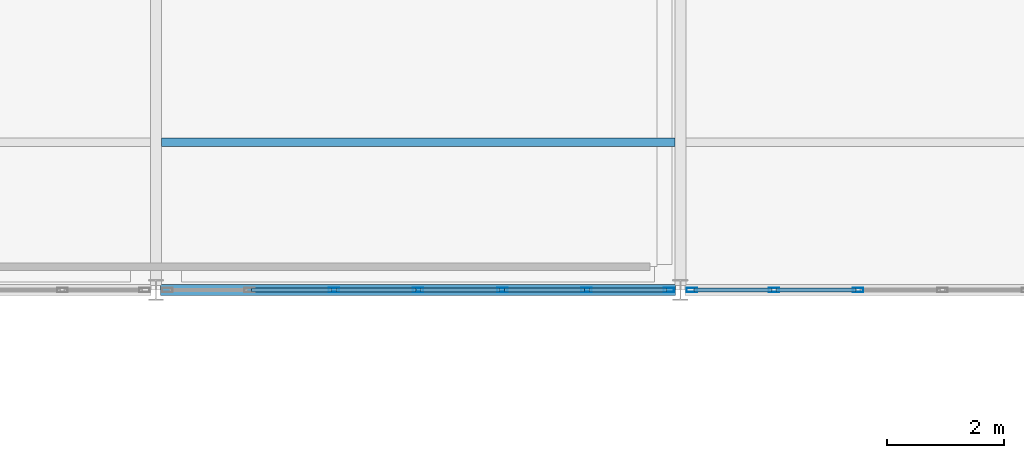
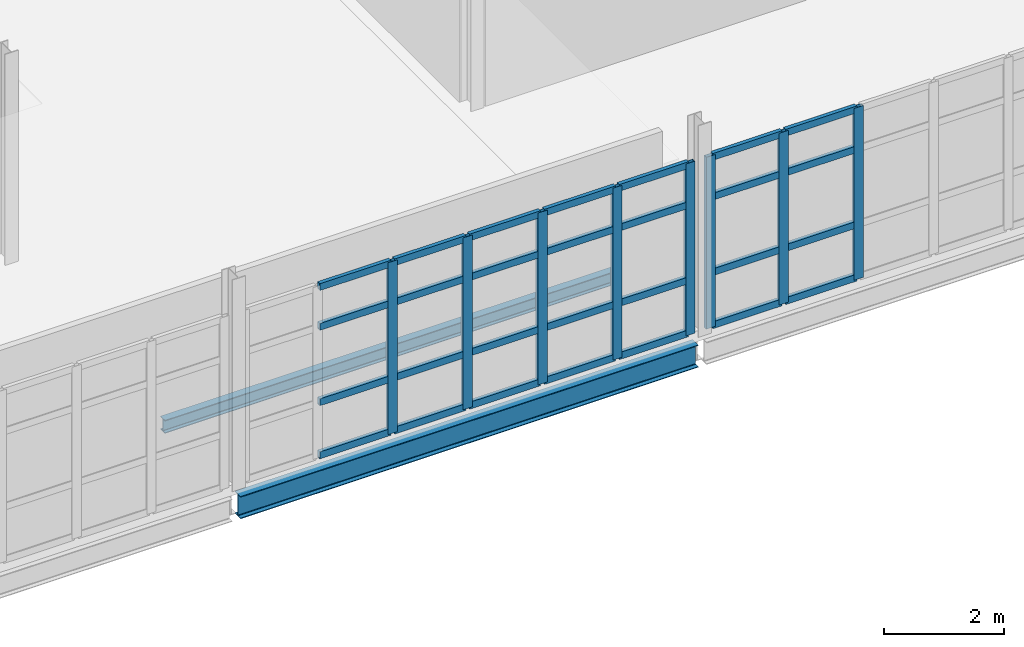
# One storey, part 114 of 174: 36 members, 2 beams, 2 elements without a shape of their own.
"""IFC4 building model written with IfcOpenShell, lengths in metres."""

from ifc_helpers import new_model, si_unit, direction, frame, origin, origin_2d, place, context, subcontext, project, spatial, hollow_rectangle, i_section, extrude, material, material_profile, profile_set, type_object, element, aggregate, save


model = new_model("IFC4")

# Units and contexts
model_context = context("Model", 3, precision=1e-05, world=origin(), true_north=direction((0.0, 1.0)))
body_context = subcontext(model_context, "Body", "Model", "MODEL_VIEW")
ifc_project = project(units=[si_unit("LENGTHUNIT", "METRE"), si_unit("AREAUNIT", "SQUARE_METRE"), si_unit("VOLUMEUNIT", "CUBIC_METRE"), si_unit("PLANEANGLEUNIT", "RADIAN"), si_unit("MASSUNIT", "GRAM", prefix="KILO")], contexts=[model_context])

# Site, building, storey
site_placement = place(None, origin())
site = spatial("IfcSite", under=ifc_project, at=site_placement, CompositionType="ELEMENT")
building_placement = place(site_placement, origin())
building = spatial("IfcBuilding", under=site, at=building_placement, Name="Caisbarro Railhouse Central Library", CompositionType="ELEMENT")
storey_placement = place(building_placement, frame((0.0, 0.0, 5.0400390625)))
storey = spatial("IfcBuildingStorey", under=building, at=storey_placement, Name="L01", CompositionType="ELEMENT", Elevation=5.0400390625)

# Beams
ifc_material_1 = material(Name="Steel ASTM A572 Grade 50", Category="steel")
ifc_material_profile_1 = material_profile(ifc_material_1, i_section(OverallWidth=0.14794921875, OverallDepth=0.26611328125, WebThickness=0.007568359375, FlangeThickness=0.012939453125, FilletRadius=0.010009765625, at=origin_2d()), Name="W250X44.8")
ifc_profile_set_1 = profile_set([ifc_material_profile_1], Name="Steel ASTM A572 Grade 50")
beam_type_1 = type_object("IfcBeamType", Name="BM-J04", PredefinedType="JOIST", material=ifc_profile_set_1)
beam_1_placement = place(storey_placement, frame((126.094970703125, 63.333251953125, -0.35302734375), z_axis=(1.0, 0.0, 0.0), x_axis=(0.0, 1.0, 0.0)))
element("IfcBeam", 1, at=beam_1_placement, inside=storey, type_object=beam_type_1, Name="J04 beam L01 #978", PredefinedType="JOIST", context=body_context, shape_type="SweptSolid", body=[
    extrude(i_section(OverallWidth=0.14794921875, OverallDepth=0.26611328125, WebThickness=0.007568359375, FlangeThickness=0.012939453125, FilletRadius=0.010009765625, at=origin_2d()), origin(), (0.0, 0.0, 1.0), 8.81005859375),
])
ifc_material_profile_2 = material_profile(ifc_material_1, i_section(OverallWidth=0.18994140625, OverallDepth=0.45703125, WebThickness=0.009033203125, FlangeThickness=0.014404296875, FilletRadius=0.01806640625, at=origin_2d()), Name="W460X74.0")
ifc_profile_set_2 = profile_set([ifc_material_profile_2], Name="Steel ASTM A572 Grade 50")
beam_type_2 = type_object("IfcBeamType", Name="BM-SP01", PredefinedType="SPANDREL", material=ifc_profile_set_2)
beam_2_placement = place(storey_placement, frame((126.080078125, 60.800048828125, -0.448486328125), z_axis=(1.0, 0.0, 0.0), x_axis=(0.0, 1.0, 0.0)))
element("IfcBeam", 2, at=beam_2_placement, inside=storey, type_object=beam_type_2, Name="SP01 beam L01 #902", PredefinedType="SPANDREL", context=body_context, shape_type="SweptSolid", body=[
    extrude(i_section(OverallWidth=0.18994140625, OverallDepth=0.45703125, WebThickness=0.009033203125, FlangeThickness=0.014404296875, FilletRadius=0.01806640625, at=origin_2d()), origin(), (0.0, 0.0, 1.0), 8.83984375),
])

# Curtain wall, members
ifc_material_2 = material(Name="Anodised architectural aluminium", Category="aluminium")
curtain_wall_type = type_object("IfcCurtainWallType", Name="CW-CW02", PredefinedType="NOTDEFINED", material=ifc_material_2)
curtain_wall_1_placement = place(storey_placement, origin())
curtain_wall_1 = element("IfcCurtainWall", 3, at=curtain_wall_1_placement, inside=storey, type_object=curtain_wall_type, Name="CW02 curtain wall L01 #118", PredefinedType="NOTDEFINED")
ifc_material_profile_3 = material_profile(ifc_material_2, hollow_rectangle(XDim=0.074951171875, YDim=0.179931640625, WallThickness=0.00439453125, at=origin_2d()), Name="ALU-MUL-75X180")
ifc_profile_set_3 = profile_set([ifc_material_profile_3], Name="Anodised architectural aluminium")
member_type_1 = type_object("IfcMemberType", Name="CWM-M01", PredefinedType="MULLION", material=ifc_profile_set_3)
member_1_placement = place(storey_placement, frame((129.05322265625, 60.800048828125, 0.0), z_axis=(0.0, 0.0, 1.0), x_axis=(0.0, 1.0, 0.0)))
member_1 = element("IfcMember", 4, at=member_1_placement, type_object=member_type_1, Name="CW02 mullion 3", PredefinedType="MULLION", context=body_context, shape_type="SweptSolid", body=[
    extrude(hollow_rectangle(XDim=0.074951171875, YDim=0.179931640625, WallThickness=0.00439453125, at=origin_2d()), origin(), (0.0, 0.0, 1.0), 3.510009765625),
])
member_2_placement = place(storey_placement, frame((130.5, 60.800048828125, 0.0), z_axis=(0.0, 0.0, 1.0), x_axis=(0.0, 1.0, 0.0)))
member_2 = element("IfcMember", 5, at=member_2_placement, type_object=member_type_1, Name="CW02 mullion 4", PredefinedType="MULLION", context=body_context, shape_type="SweptSolid", body=[
    extrude(hollow_rectangle(XDim=0.074951171875, YDim=0.179931640625, WallThickness=0.00439453125, at=origin_2d()), origin(), (0.0, 0.0, 1.0), 3.510009765625),
])
member_3_placement = place(storey_placement, frame((131.94677734375, 60.800048828125, 0.0), z_axis=(0.0, 0.0, 1.0), x_axis=(0.0, 1.0, 0.0)))
member_3 = element("IfcMember", 6, at=member_3_placement, type_object=member_type_1, Name="CW02 mullion 5", PredefinedType="MULLION", context=body_context, shape_type="SweptSolid", body=[
    extrude(hollow_rectangle(XDim=0.074951171875, YDim=0.179931640625, WallThickness=0.00439453125, at=origin_2d()), origin(), (0.0, 0.0, 1.0), 3.510009765625),
])
member_4_placement = place(storey_placement, frame((133.393310546875, 60.800048828125, 0.0), z_axis=(0.0, 0.0, 1.0), x_axis=(0.0, 1.0, 0.0)))
member_4 = element("IfcMember", 7, at=member_4_placement, type_object=member_type_1, Name="CW02 mullion 6", PredefinedType="MULLION", context=body_context, shape_type="SweptSolid", body=[
    extrude(hollow_rectangle(XDim=0.074951171875, YDim=0.179931640625, WallThickness=0.00439453125, at=origin_2d()), origin(), (0.0, 0.0, 1.0), 3.510009765625),
])
member_5_placement = place(storey_placement, frame((134.802490234375, 60.800048828125, 0.0), z_axis=(0.0, 0.0, 1.0), x_axis=(0.0, 1.0, 0.0)))
member_5 = element("IfcMember", 8, at=member_5_placement, type_object=member_type_1, Name="CW02 mullion 7", PredefinedType="MULLION", context=body_context, shape_type="SweptSolid", body=[
    extrude(hollow_rectangle(XDim=0.074951171875, YDim=0.179931640625, WallThickness=0.00439453125, at=origin_2d()), origin(), (0.0, 0.0, 1.0), 3.510009765625),
])

curtain_wall_2_placement = place(storey_placement, origin())
curtain_wall_2 = element("IfcCurtainWall", 9, at=curtain_wall_2_placement, inside=storey, type_object=curtain_wall_type, Name="CW02 curtain wall L01 #119", PredefinedType="NOTDEFINED")
member_6_placement = place(storey_placement, frame((135.197509765625, 60.800048828125, 0.0), z_axis=(0.0, 0.0, 1.0), x_axis=(0.0, 1.0, 0.0)))
member_6 = element("IfcMember", 10, at=member_6_placement, type_object=member_type_1, Name="CW02 mullion 1", PredefinedType="MULLION", context=body_context, shape_type="SweptSolid", body=[
    extrude(hollow_rectangle(XDim=0.074951171875, YDim=0.179931640625, WallThickness=0.00439453125, at=origin_2d()), origin(), (0.0, 0.0, 1.0), 3.510009765625),
])
member_7_placement = place(storey_placement, frame((136.606689453125, 60.800048828125, 0.0), z_axis=(0.0, 0.0, 1.0), x_axis=(0.0, 1.0, 0.0)))
member_7 = element("IfcMember", 11, at=member_7_placement, type_object=member_type_1, Name="CW02 mullion 2", PredefinedType="MULLION", context=body_context, shape_type="SweptSolid", body=[
    extrude(hollow_rectangle(XDim=0.074951171875, YDim=0.179931640625, WallThickness=0.00439453125, at=origin_2d()), origin(), (0.0, 0.0, 1.0), 3.510009765625),
])
member_8_placement = place(storey_placement, frame((138.05322265625, 60.800048828125, 0.0), z_axis=(0.0, 0.0, 1.0), x_axis=(0.0, 1.0, 0.0)))
member_8 = element("IfcMember", 12, at=member_8_placement, type_object=member_type_1, Name="CW02 mullion 3", PredefinedType="MULLION", context=body_context, shape_type="SweptSolid", body=[
    extrude(hollow_rectangle(XDim=0.074951171875, YDim=0.179931640625, WallThickness=0.00439453125, at=origin_2d()), origin(), (0.0, 0.0, 1.0), 3.510009765625),
])

# Member
ifc_material_profile_4 = material_profile(ifc_material_2, hollow_rectangle(XDim=0.074951171875, YDim=0.139892578125, WallThickness=0.00390625, at=origin_2d()), Name="ALU-TRN-75X140")
ifc_profile_set_4 = profile_set([ifc_material_profile_4], Name="Anodised architectural aluminium")
member_type_2 = type_object("IfcMemberType", Name="CWT-T01", PredefinedType="USERDEFINED", material=ifc_profile_set_4)
member_9_placement = place(storey_placement, frame((127.644287109375, 60.800048828125, 0.037353515625), z_axis=(1.0, 0.0, 0.0), x_axis=(0.0, 1.0, 0.0)))
member_9 = element("IfcMember", 13, at=member_9_placement, type_object=member_type_2, Name="CW02 transom 2.1", ObjectType="TRANSOM", PredefinedType="USERDEFINED", context=body_context, shape_type="SweptSolid", body=[
    extrude(hollow_rectangle(XDim=0.074951171875, YDim=0.139892578125, WallThickness=0.00390625, at=origin_2d()), origin(), (0.0, 0.0, 1.0), 1.37158203125),
])

member_10_placement = place(storey_placement, frame((127.644287109375, 60.800048828125, 1.119873046875), z_axis=(1.0, 0.0, 0.0), x_axis=(0.0, 1.0, 0.0)))
member_10 = element("IfcMember", 14, at=member_10_placement, type_object=member_type_2, Name="CW02 transom 2.2", ObjectType="TRANSOM", PredefinedType="USERDEFINED", context=body_context, shape_type="SweptSolid", body=[
    extrude(hollow_rectangle(XDim=0.074951171875, YDim=0.139892578125, WallThickness=0.00390625, at=origin_2d()), origin(), (0.0, 0.0, 1.0), 1.37158203125),
])

member_11_placement = place(storey_placement, frame((127.644287109375, 60.800048828125, 2.659912109375), z_axis=(1.0, 0.0, 0.0), x_axis=(0.0, 1.0, 0.0)))
member_11 = element("IfcMember", 15, at=member_11_placement, type_object=member_type_2, Name="CW02 transom 2.3", ObjectType="TRANSOM", PredefinedType="USERDEFINED", context=body_context, shape_type="SweptSolid", body=[
    extrude(hollow_rectangle(XDim=0.074951171875, YDim=0.139892578125, WallThickness=0.00390625, at=origin_2d()), origin(), (0.0, 0.0, 1.0), 1.37158203125),
])

member_12_placement = place(storey_placement, frame((127.644287109375, 60.800048828125, 3.472412109375), z_axis=(1.0, 0.0, 0.0), x_axis=(0.0, 1.0, 0.0)))
member_12 = element("IfcMember", 16, at=member_12_placement, type_object=member_type_2, Name="CW02 transom 2.4", ObjectType="TRANSOM", PredefinedType="USERDEFINED", context=body_context, shape_type="SweptSolid", body=[
    extrude(hollow_rectangle(XDim=0.074951171875, YDim=0.139892578125, WallThickness=0.00390625, at=origin_2d()), origin(), (0.0, 0.0, 1.0), 1.37158203125),
])

member_13_placement = place(storey_placement, frame((129.0908203125, 60.800048828125, 0.037353515625), z_axis=(1.0, 0.0, 0.0), x_axis=(0.0, 1.0, 0.0)))
member_13 = element("IfcMember", 17, at=member_13_placement, type_object=member_type_2, Name="CW02 transom 3.1", ObjectType="TRANSOM", PredefinedType="USERDEFINED", context=body_context, shape_type="SweptSolid", body=[
    extrude(hollow_rectangle(XDim=0.074951171875, YDim=0.139892578125, WallThickness=0.00390625, at=origin_2d()), origin(), (0.0, 0.0, 1.0), 1.37158203125),
])

member_14_placement = place(storey_placement, frame((129.0908203125, 60.800048828125, 1.119873046875), z_axis=(1.0, 0.0, 0.0), x_axis=(0.0, 1.0, 0.0)))
member_14 = element("IfcMember", 18, at=member_14_placement, type_object=member_type_2, Name="CW02 transom 3.2", ObjectType="TRANSOM", PredefinedType="USERDEFINED", context=body_context, shape_type="SweptSolid", body=[
    extrude(hollow_rectangle(XDim=0.074951171875, YDim=0.139892578125, WallThickness=0.00390625, at=origin_2d()), origin(), (0.0, 0.0, 1.0), 1.37158203125),
])

member_15_placement = place(storey_placement, frame((129.0908203125, 60.800048828125, 2.659912109375), z_axis=(1.0, 0.0, 0.0), x_axis=(0.0, 1.0, 0.0)))
member_15 = element("IfcMember", 19, at=member_15_placement, type_object=member_type_2, Name="CW02 transom 3.3", ObjectType="TRANSOM", PredefinedType="USERDEFINED", context=body_context, shape_type="SweptSolid", body=[
    extrude(hollow_rectangle(XDim=0.074951171875, YDim=0.139892578125, WallThickness=0.00390625, at=origin_2d()), origin(), (0.0, 0.0, 1.0), 1.37158203125),
])

member_16_placement = place(storey_placement, frame((129.0908203125, 60.800048828125, 3.472412109375), z_axis=(1.0, 0.0, 0.0), x_axis=(0.0, 1.0, 0.0)))
member_16 = element("IfcMember", 20, at=member_16_placement, type_object=member_type_2, Name="CW02 transom 3.4", ObjectType="TRANSOM", PredefinedType="USERDEFINED", context=body_context, shape_type="SweptSolid", body=[
    extrude(hollow_rectangle(XDim=0.074951171875, YDim=0.139892578125, WallThickness=0.00390625, at=origin_2d()), origin(), (0.0, 0.0, 1.0), 1.37158203125),
])

member_17_placement = place(storey_placement, frame((130.53759765625, 60.800048828125, 0.037353515625), z_axis=(1.0, 0.0, 0.0), x_axis=(0.0, 1.0, 0.0)))
member_17 = element("IfcMember", 21, at=member_17_placement, type_object=member_type_2, Name="CW02 transom 4.1", ObjectType="TRANSOM", PredefinedType="USERDEFINED", context=body_context, shape_type="SweptSolid", body=[
    extrude(hollow_rectangle(XDim=0.074951171875, YDim=0.139892578125, WallThickness=0.00390625, at=origin_2d()), origin(), (0.0, 0.0, 1.0), 1.37158203125),
])

member_18_placement = place(storey_placement, frame((130.53759765625, 60.800048828125, 1.119873046875), z_axis=(1.0, 0.0, 0.0), x_axis=(0.0, 1.0, 0.0)))
member_18 = element("IfcMember", 22, at=member_18_placement, type_object=member_type_2, Name="CW02 transom 4.2", ObjectType="TRANSOM", PredefinedType="USERDEFINED", context=body_context, shape_type="SweptSolid", body=[
    extrude(hollow_rectangle(XDim=0.074951171875, YDim=0.139892578125, WallThickness=0.00390625, at=origin_2d()), origin(), (0.0, 0.0, 1.0), 1.37158203125),
])

member_19_placement = place(storey_placement, frame((130.53759765625, 60.800048828125, 2.659912109375), z_axis=(1.0, 0.0, 0.0), x_axis=(0.0, 1.0, 0.0)))
member_19 = element("IfcMember", 23, at=member_19_placement, type_object=member_type_2, Name="CW02 transom 4.3", ObjectType="TRANSOM", PredefinedType="USERDEFINED", context=body_context, shape_type="SweptSolid", body=[
    extrude(hollow_rectangle(XDim=0.074951171875, YDim=0.139892578125, WallThickness=0.00390625, at=origin_2d()), origin(), (0.0, 0.0, 1.0), 1.37158203125),
])

member_20_placement = place(storey_placement, frame((130.53759765625, 60.800048828125, 3.472412109375), z_axis=(1.0, 0.0, 0.0), x_axis=(0.0, 1.0, 0.0)))
member_20 = element("IfcMember", 24, at=member_20_placement, type_object=member_type_2, Name="CW02 transom 4.4", ObjectType="TRANSOM", PredefinedType="USERDEFINED", context=body_context, shape_type="SweptSolid", body=[
    extrude(hollow_rectangle(XDim=0.074951171875, YDim=0.139892578125, WallThickness=0.00390625, at=origin_2d()), origin(), (0.0, 0.0, 1.0), 1.37158203125),
])

member_21_placement = place(storey_placement, frame((131.984130859375, 60.800048828125, 0.037353515625), z_axis=(1.0, 0.0, 0.0), x_axis=(0.0, 1.0, 0.0)))
member_21 = element("IfcMember", 25, at=member_21_placement, type_object=member_type_2, Name="CW02 transom 5.1", ObjectType="TRANSOM", PredefinedType="USERDEFINED", context=body_context, shape_type="SweptSolid", body=[
    extrude(hollow_rectangle(XDim=0.074951171875, YDim=0.139892578125, WallThickness=0.00390625, at=origin_2d()), origin(), (0.0, 0.0, 1.0), 1.37158203125),
])

member_22_placement = place(storey_placement, frame((131.984130859375, 60.800048828125, 1.119873046875), z_axis=(1.0, 0.0, 0.0), x_axis=(0.0, 1.0, 0.0)))
member_22 = element("IfcMember", 26, at=member_22_placement, type_object=member_type_2, Name="CW02 transom 5.2", ObjectType="TRANSOM", PredefinedType="USERDEFINED", context=body_context, shape_type="SweptSolid", body=[
    extrude(hollow_rectangle(XDim=0.074951171875, YDim=0.139892578125, WallThickness=0.00390625, at=origin_2d()), origin(), (0.0, 0.0, 1.0), 1.37158203125),
])

member_23_placement = place(storey_placement, frame((131.984130859375, 60.800048828125, 2.659912109375), z_axis=(1.0, 0.0, 0.0), x_axis=(0.0, 1.0, 0.0)))
member_23 = element("IfcMember", 27, at=member_23_placement, type_object=member_type_2, Name="CW02 transom 5.3", ObjectType="TRANSOM", PredefinedType="USERDEFINED", context=body_context, shape_type="SweptSolid", body=[
    extrude(hollow_rectangle(XDim=0.074951171875, YDim=0.139892578125, WallThickness=0.00390625, at=origin_2d()), origin(), (0.0, 0.0, 1.0), 1.37158203125),
])

member_24_placement = place(storey_placement, frame((131.984130859375, 60.800048828125, 3.472412109375), z_axis=(1.0, 0.0, 0.0), x_axis=(0.0, 1.0, 0.0)))
member_24 = element("IfcMember", 28, at=member_24_placement, type_object=member_type_2, Name="CW02 transom 5.4", ObjectType="TRANSOM", PredefinedType="USERDEFINED", context=body_context, shape_type="SweptSolid", body=[
    extrude(hollow_rectangle(XDim=0.074951171875, YDim=0.139892578125, WallThickness=0.00390625, at=origin_2d()), origin(), (0.0, 0.0, 1.0), 1.37158203125),
])

member_25_placement = place(storey_placement, frame((133.430908203125, 60.800048828125, 0.037353515625), z_axis=(1.0, 0.0, 0.0), x_axis=(0.0, 1.0, 0.0)))
member_25 = element("IfcMember", 29, at=member_25_placement, type_object=member_type_2, Name="CW02 transom 6.1", ObjectType="TRANSOM", PredefinedType="USERDEFINED", context=body_context, shape_type="SweptSolid", body=[
    extrude(hollow_rectangle(XDim=0.074951171875, YDim=0.139892578125, WallThickness=0.00390625, at=origin_2d()), origin(), (0.0, 0.0, 1.0), 1.333984375),
])

member_26_placement = place(storey_placement, frame((133.430908203125, 60.800048828125, 1.119873046875), z_axis=(1.0, 0.0, 0.0), x_axis=(0.0, 1.0, 0.0)))
member_26 = element("IfcMember", 30, at=member_26_placement, type_object=member_type_2, Name="CW02 transom 6.2", ObjectType="TRANSOM", PredefinedType="USERDEFINED", context=body_context, shape_type="SweptSolid", body=[
    extrude(hollow_rectangle(XDim=0.074951171875, YDim=0.139892578125, WallThickness=0.00390625, at=origin_2d()), origin(), (0.0, 0.0, 1.0), 1.333984375),
])

member_27_placement = place(storey_placement, frame((133.430908203125, 60.800048828125, 2.659912109375), z_axis=(1.0, 0.0, 0.0), x_axis=(0.0, 1.0, 0.0)))
member_27 = element("IfcMember", 31, at=member_27_placement, type_object=member_type_2, Name="CW02 transom 6.3", ObjectType="TRANSOM", PredefinedType="USERDEFINED", context=body_context, shape_type="SweptSolid", body=[
    extrude(hollow_rectangle(XDim=0.074951171875, YDim=0.139892578125, WallThickness=0.00390625, at=origin_2d()), origin(), (0.0, 0.0, 1.0), 1.333984375),
])

member_28_placement = place(storey_placement, frame((133.430908203125, 60.800048828125, 3.472412109375), z_axis=(1.0, 0.0, 0.0), x_axis=(0.0, 1.0, 0.0)))
member_28 = element("IfcMember", 32, at=member_28_placement, type_object=member_type_2, Name="CW02 transom 6.4", ObjectType="TRANSOM", PredefinedType="USERDEFINED", context=body_context, shape_type="SweptSolid", body=[
    extrude(hollow_rectangle(XDim=0.074951171875, YDim=0.139892578125, WallThickness=0.00390625, at=origin_2d()), origin(), (0.0, 0.0, 1.0), 1.333984375),
])

aggregate(curtain_wall_1, [member_1, member_2, member_3, member_4, member_5, member_9, member_10, member_11, member_12, member_13, member_14, member_15, member_16, member_17, member_18, member_19, member_20, member_21, member_22, member_23, member_24, member_25, member_26, member_27, member_28])

member_29_placement = place(storey_placement, frame((135.235107421875, 60.800048828125, 0.037353515625), z_axis=(1.0, 0.0, 0.0), x_axis=(0.0, 1.0, 0.0)))
member_29 = element("IfcMember", 33, at=member_29_placement, type_object=member_type_2, Name="CW02 transom 1.1", ObjectType="TRANSOM", PredefinedType="USERDEFINED", context=body_context, shape_type="SweptSolid", body=[
    extrude(hollow_rectangle(XDim=0.074951171875, YDim=0.139892578125, WallThickness=0.00390625, at=origin_2d()), origin(), (0.0, 0.0, 1.0), 1.333984375),
])

member_30_placement = place(storey_placement, frame((135.235107421875, 60.800048828125, 1.119873046875), z_axis=(1.0, 0.0, 0.0), x_axis=(0.0, 1.0, 0.0)))
member_30 = element("IfcMember", 34, at=member_30_placement, type_object=member_type_2, Name="CW02 transom 1.2", ObjectType="TRANSOM", PredefinedType="USERDEFINED", context=body_context, shape_type="SweptSolid", body=[
    extrude(hollow_rectangle(XDim=0.074951171875, YDim=0.139892578125, WallThickness=0.00390625, at=origin_2d()), origin(), (0.0, 0.0, 1.0), 1.333984375),
])

member_31_placement = place(storey_placement, frame((135.235107421875, 60.800048828125, 2.659912109375), z_axis=(1.0, 0.0, 0.0), x_axis=(0.0, 1.0, 0.0)))
member_31 = element("IfcMember", 35, at=member_31_placement, type_object=member_type_2, Name="CW02 transom 1.3", ObjectType="TRANSOM", PredefinedType="USERDEFINED", context=body_context, shape_type="SweptSolid", body=[
    extrude(hollow_rectangle(XDim=0.074951171875, YDim=0.139892578125, WallThickness=0.00390625, at=origin_2d()), origin(), (0.0, 0.0, 1.0), 1.333984375),
])

member_32_placement = place(storey_placement, frame((135.235107421875, 60.800048828125, 3.472412109375), z_axis=(1.0, 0.0, 0.0), x_axis=(0.0, 1.0, 0.0)))
member_32 = element("IfcMember", 36, at=member_32_placement, type_object=member_type_2, Name="CW02 transom 1.4", ObjectType="TRANSOM", PredefinedType="USERDEFINED", context=body_context, shape_type="SweptSolid", body=[
    extrude(hollow_rectangle(XDim=0.074951171875, YDim=0.139892578125, WallThickness=0.00390625, at=origin_2d()), origin(), (0.0, 0.0, 1.0), 1.333984375),
])

member_33_placement = place(storey_placement, frame((136.644287109375, 60.800048828125, 0.037353515625), z_axis=(1.0, 0.0, 0.0), x_axis=(0.0, 1.0, 0.0)))
member_33 = element("IfcMember", 37, at=member_33_placement, type_object=member_type_2, Name="CW02 transom 2.1", ObjectType="TRANSOM", PredefinedType="USERDEFINED", context=body_context, shape_type="SweptSolid", body=[
    extrude(hollow_rectangle(XDim=0.074951171875, YDim=0.139892578125, WallThickness=0.00390625, at=origin_2d()), origin(), (0.0, 0.0, 1.0), 1.37158203125),
])

member_34_placement = place(storey_placement, frame((136.644287109375, 60.800048828125, 1.119873046875), z_axis=(1.0, 0.0, 0.0), x_axis=(0.0, 1.0, 0.0)))
member_34 = element("IfcMember", 38, at=member_34_placement, type_object=member_type_2, Name="CW02 transom 2.2", ObjectType="TRANSOM", PredefinedType="USERDEFINED", context=body_context, shape_type="SweptSolid", body=[
    extrude(hollow_rectangle(XDim=0.074951171875, YDim=0.139892578125, WallThickness=0.00390625, at=origin_2d()), origin(), (0.0, 0.0, 1.0), 1.37158203125),
])

member_35_placement = place(storey_placement, frame((136.644287109375, 60.800048828125, 2.659912109375), z_axis=(1.0, 0.0, 0.0), x_axis=(0.0, 1.0, 0.0)))
member_35 = element("IfcMember", 39, at=member_35_placement, type_object=member_type_2, Name="CW02 transom 2.3", ObjectType="TRANSOM", PredefinedType="USERDEFINED", context=body_context, shape_type="SweptSolid", body=[
    extrude(hollow_rectangle(XDim=0.074951171875, YDim=0.139892578125, WallThickness=0.00390625, at=origin_2d()), origin(), (0.0, 0.0, 1.0), 1.37158203125),
])

member_36_placement = place(storey_placement, frame((136.644287109375, 60.800048828125, 3.472412109375), z_axis=(1.0, 0.0, 0.0), x_axis=(0.0, 1.0, 0.0)))
member_36 = element("IfcMember", 40, at=member_36_placement, type_object=member_type_2, Name="CW02 transom 2.4", ObjectType="TRANSOM", PredefinedType="USERDEFINED", context=body_context, shape_type="SweptSolid", body=[
    extrude(hollow_rectangle(XDim=0.074951171875, YDim=0.139892578125, WallThickness=0.00390625, at=origin_2d()), origin(), (0.0, 0.0, 1.0), 1.37158203125),
])

aggregate(curtain_wall_2, [member_6, member_7, member_8, member_29, member_30, member_31, member_32, member_33, member_34, member_35, member_36])

save(model, "model.ifc")
